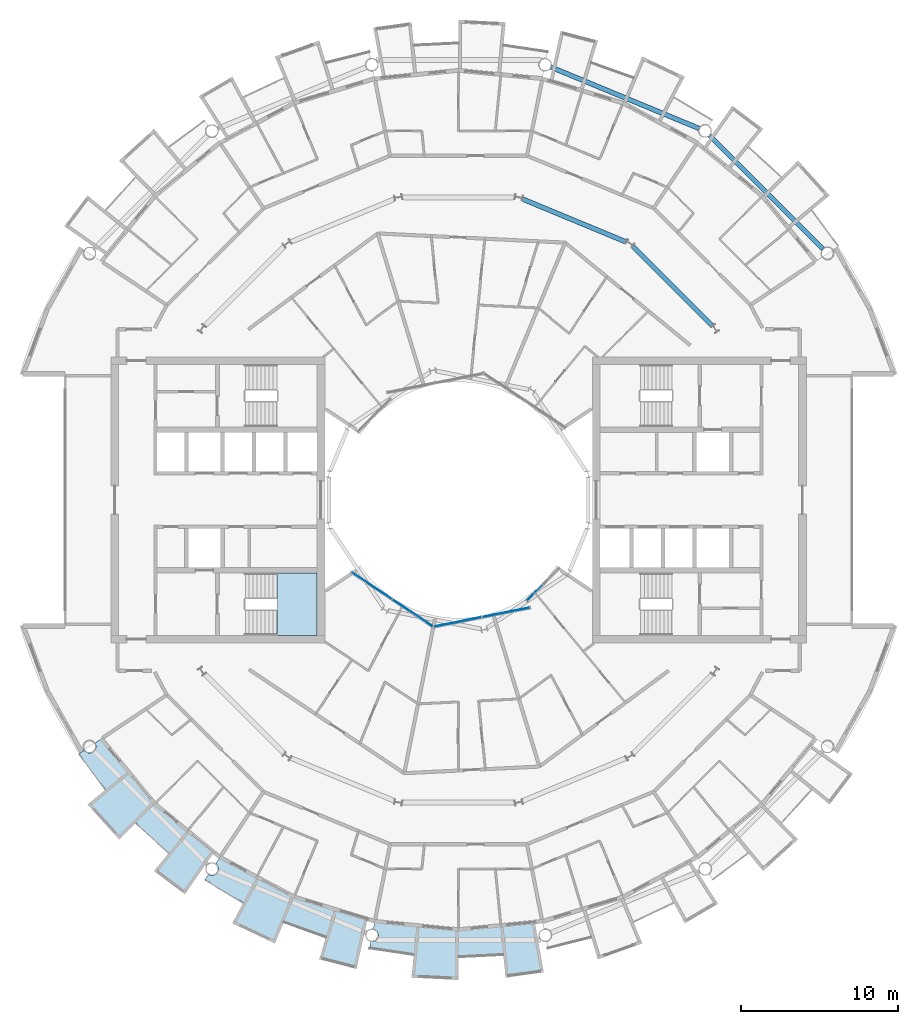
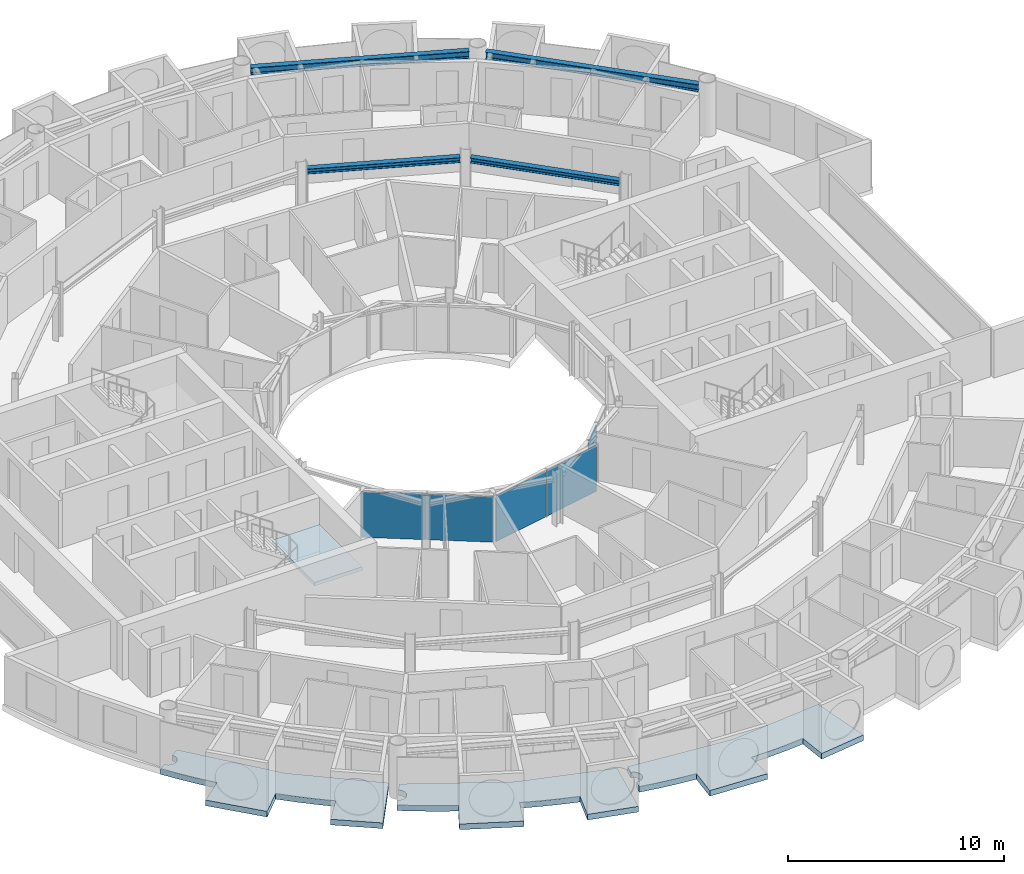
# One storey, part 10 of 27: 5 plates, 4 beams, 4 slabs, 4 elements without a shape of their own.
"""IFC4 building model written with IfcOpenShell, lengths in metres."""

from ifc_helpers import new_model, si_unit, direction, frame, origin, origin_2d, place, context, subcontext, project, spatial, polyline, rectangle, i_section, outline, extrude, material, layer, layer_set, material_profile, profile_set, type_object, element, aggregate, save


model = new_model("IFC4")

# Units and contexts
model_context = context("Model", 3, precision=1e-05, world=origin(), true_north=direction((0.0, 1.0)))
body_context = subcontext(model_context, "Body", "Model", "MODEL_VIEW")
ifc_project = project(units=[si_unit("LENGTHUNIT", "METRE"), si_unit("AREAUNIT", "SQUARE_METRE"), si_unit("VOLUMEUNIT", "CUBIC_METRE"), si_unit("PLANEANGLEUNIT", "RADIAN"), si_unit("MASSUNIT", "GRAM", prefix="KILO")], contexts=[model_context])

# Site, building, storey
site_placement = place(None, origin())
site = spatial("IfcSite", under=ifc_project, at=site_placement, CompositionType="ELEMENT")
building_placement = place(site_placement, origin())
building = spatial("IfcBuilding", under=site, at=building_placement, Name="Maasbend Ring Residences", CompositionType="ELEMENT")
storey_placement = place(building_placement, frame((0.0, 0.0, 170.75)))
storey = spatial("IfcBuildingStorey", under=building, at=storey_placement, Name="L49", CompositionType="ELEMENT", Elevation=170.75)

# Beams
ifc_material_1 = material(Name="Steel S355J2", Category="steel")
ifc_material_profile_1 = material_profile(ifc_material_1, i_section(OverallWidth=0.300048828125, OverallDepth=0.2900390625, WebThickness=0.008544921875, FlangeThickness=0.013916015625, FilletRadius=0.027099609375, at=origin_2d()), Name="HEA 300")
ifc_profile_set_1 = profile_set([ifc_material_profile_1], Name="Steel S355J2")
beam_type_1 = type_object("IfcBeamType", Name="Corridor ring beam HEA 300", PredefinedType="BEAM", material=ifc_profile_set_1)
for number, where, z_axis, x_axis, name in (
    (1, (16.11669921875, 11.0693359375, 2.554931640625), (-0.707106781187, 0.707106781187, 0.0), (-0.707106781187, -0.707106781187, 0.0), "Corridor ring beam"),
    (2, (10.65380859375, 16.394287109375, 2.554931640625), (-0.923871339849, 0.382703210602, 0.0), (-0.382703210602, -0.923871339849, 0.0), "Corridor ring beam"),
):
    element("IfcBeam", number, at=place(storey_placement, frame(where, z_axis=z_axis, x_axis=x_axis)), inside=storey, type_object=beam_type_1, Name=name, PredefinedType="BEAM", context=body_context, shape_type="SweptSolid", body=[
        extrude(i_section(OverallWidth=0.300048828125, OverallDepth=0.2900390625, WebThickness=0.008544921875, FlangeThickness=0.013916015625, FilletRadius=0.027099609375, at=origin_2d()), origin(), (0.0, 0.0, 1.0), 7.137939453125),
    ])
ifc_material_2 = material(Name="Steel S355J2", Category="steel")
ifc_material_profile_2 = material_profile(ifc_material_2, i_section(OverallWidth=0.300048828125, OverallDepth=0.39990234375, WebThickness=0.013427734375, FlangeThickness=0.02392578125, FilletRadius=0.027099609375, at=origin_2d()), Name="HEB 400")
ifc_profile_set_2 = profile_set([ifc_material_profile_2], Name="Steel S355J2")
beam_type_2 = type_object("IfcBeamType", Name="Spandrel ring beam HEB 400", PredefinedType="SPANDREL", material=ifc_profile_set_2)
for number, where, z_axis, x_axis, name in (
    (3, (23.159912109375, 15.95458984375, 2.5), (-0.707106781187, 0.707106781187, 0.0), (-0.707106781187, -0.707106781187, 0.0), "Spandrel ring beam"),
    (4, (15.29150390625, 23.60302734375, 2.5), (-0.923883676188, 0.382673428492, 0.0), (-0.382673428492, -0.923883676188, 0.0), "Spandrel ring beam"),
):
    element("IfcBeam", number, at=place(storey_placement, frame(where, z_axis=z_axis, x_axis=x_axis)), inside=storey, type_object=beam_type_2, Name=name, PredefinedType="SPANDREL", context=body_context, shape_type="SweptSolid", body=[
        extrude(i_section(OverallWidth=0.300048828125, OverallDepth=0.39990234375, WebThickness=0.013427734375, FlangeThickness=0.02392578125, FilletRadius=0.027099609375, at=origin_2d()), origin(), (0.0, 0.0, 1.0), 10.18994140625),
    ])

# Stair, slab
ifc_material_3 = material(Name="Concrete C40/50", Category="concrete")
stair_type = type_object("IfcStairType", Name="CORE STAIR 18 RISERS", PredefinedType="HALF_TURN_STAIR", material=ifc_material_3)
stair_placement = place(storey_placement, origin())
stair = element("IfcStair", 5, at=stair_placement, inside=storey, type_object=stair_type, Name="L49 Exit stair ST-W1", PredefinedType="HALF_TURN_STAIR")
ifc_material_4 = material(Name="Concrete C40/50", Category="concrete")
ifc_layer_1 = layer(ifc_material_4, 0.199951171875)
ifc_layer_set_1 = layer_set([ifc_layer_1], Name="Concrete C40/50")
slab_type_1 = type_object("IfcSlabType", Name="CORE STAIR LANDING 200", PredefinedType="LANDING", material=ifc_layer_set_1)
slab_1_placement = place(storey_placement, frame((0.0, 0.0, 1.324951171875)))
slab_1 = element("IfcSlab", 6, at=slab_1_placement, type_object=slab_type_1, Name="ST-W1 landing 1", PredefinedType="LANDING", context=body_context, shape_type="SweptSolid", body=[
    extrude(outline(polyline([(-11.550048828125, -8.60009765625), (-9.0, -8.60009765625), (-9.0, -4.64990234375), (-11.550048828125, -4.64990234375), (-11.550048828125, -8.60009765625)])), origin(), (0.0, 0.0, 1.0), 0.199951171875),
])
aggregate(stair, [slab_1])

# Curtain wall, plates
ifc_material_5 = material(Name="Aluminium and clear glass", Category="aluminium")
ifc_layer_2 = layer(ifc_material_5, 0.179931640625)
ifc_layer_set_2 = layer_set([ifc_layer_2], Name="CW-W")
curtain_wall_type = type_object("IfcCurtainWallType", Name="CW-W", PredefinedType="NOTDEFINED", material=ifc_layer_set_2)
curtain_wall_1_placement = place(storey_placement, origin())
curtain_wall_1 = element("IfcCurtainWall", 7, at=curtain_wall_1_placement, inside=storey, type_object=curtain_wall_type, Name="Well curtain wall S1", PredefinedType="NOTDEFINED")
ifc_material_6 = material(Name="Glass clear laminated", Category="glass")
ifc_layer_3 = layer(ifc_material_6, 0.031982421875)
ifc_layer_set_3 = layer_set([ifc_layer_3], Name="CWP-W")
plate_type = type_object("IfcPlateType", Name="CWP-W", PredefinedType="CURTAIN_PANEL", material=ifc_layer_set_3)
plate_1_placement = place(storey_placement, frame((-5.51123046875, -5.44580078125, 0.0), z_axis=(0.0, 0.0, 1.0), x_axis=(0.831469612303, -0.55557023302, 0.0)))
plate_1 = element("IfcPlate", 8, at=plate_1_placement, type_object=plate_type, Name="Glass panel well face", PredefinedType="CURTAIN_PANEL", context=body_context, shape_type="SweptSolid", body=[
    extrude(rectangle(XDim=3.053955078125, YDim=0.031982421875, at=origin_2d()), origin(), (0.0, 0.0, 1.0), 2.580078125),
])
plate_2_placement = place(storey_placement, frame((-2.922119140625, -7.17578125, 0.0), z_axis=(0.0, 0.0, 1.0), x_axis=(0.831469612303, -0.55557023302, 0.0)))
plate_2 = element("IfcPlate", 9, at=plate_2_placement, type_object=plate_type, Name="Glass panel well face", PredefinedType="CURTAIN_PANEL", context=body_context, shape_type="SweptSolid", body=[
    extrude(rectangle(XDim=3.053955078125, YDim=0.031982421875, at=origin_2d()), origin(), (0.0, 0.0, 1.0), 2.580078125),
])
aggregate(curtain_wall_1, [plate_1, plate_2])

curtain_wall_2_placement = place(storey_placement, origin())
curtain_wall_2 = element("IfcCurtainWall", 10, at=curtain_wall_2_placement, inside=storey, type_object=curtain_wall_type, Name="Well curtain wall S2", PredefinedType="NOTDEFINED")
plate_3_placement = place(storey_placement, frame((-0.04638671875, -7.747802734375, 0.0), z_axis=(0.0, 0.0, 1.0), x_axis=(0.980785280403, 0.195090322016, 0.0)))
plate_3 = element("IfcPlate", 11, at=plate_3_placement, type_object=plate_type, Name="Glass panel well face", PredefinedType="CURTAIN_PANEL", context=body_context, shape_type="SweptSolid", body=[
    extrude(rectangle(XDim=3.053955078125, YDim=0.031982421875, at=origin_2d()), origin(), (0.0, 0.0, 1.0), 2.580078125),
])
plate_4_placement = place(storey_placement, frame((3.0078125, -7.140380859375, 0.0), z_axis=(0.0, 0.0, 1.0), x_axis=(0.980785280403, 0.195090322016, 0.0)))
plate_4 = element("IfcPlate", 12, at=plate_4_placement, type_object=plate_type, Name="Glass panel well face", PredefinedType="CURTAIN_PANEL", context=body_context, shape_type="SweptSolid", body=[
    extrude(rectangle(XDim=3.053955078125, YDim=0.031982421875, at=origin_2d()), origin(), (0.0, 0.0, 1.0), 2.580078125),
])
aggregate(curtain_wall_2, [plate_3, plate_4])

# Curtain wall, plate
curtain_wall_3_placement = place(storey_placement, origin())
curtain_wall_3 = element("IfcCurtainWall", 13, at=curtain_wall_3_placement, inside=storey, type_object=curtain_wall_type, Name="Well curtain wall S3", PredefinedType="NOTDEFINED")
plate_5_placement = place(storey_placement, frame((4.84375, -5.89013671875, 0.0), z_axis=(0.0, 0.0, 1.0), x_axis=(0.707106781187, 0.707106781187, 0.0)))
plate_5 = element("IfcPlate", 14, at=plate_5_placement, type_object=plate_type, Name="Glass panel well face", PredefinedType="CURTAIN_PANEL", context=body_context, shape_type="SweptSolid", body=[
    extrude(rectangle(XDim=1.419677734375, YDim=0.031982421875, at=origin_2d()), origin(), (0.0, 0.0, 1.0), 2.580078125),
])
aggregate(curtain_wall_3, [plate_5])

# Slabs
ifc_material_7 = material(Name="Concrete C40/50", Category="concrete")
ifc_layer_4 = layer(ifc_material_7, 0.199951171875)
ifc_layer_set_4 = layer_set([ifc_layer_4], Name="Concrete C40/50")
slab_type_2 = type_object("IfcSlabType", Name="SL-LOGGIA", PredefinedType="FLOOR", material=ifc_layer_set_4)
slab_2_placement = place(storey_placement, frame((0.0, 0.0, -0.35009765625)))
element("IfcSlab", 15, at=slab_2_placement, inside=storey, type_object=slab_type_2, Name="Loggia floor 1", PredefinedType="FLOOR", context=body_context, shape_type="SweptSolid", body=[
    extrude(outline(polyline([(-15.866943359375, -23.801025390625), (-15.85888671875, -23.805908203125), (-15.85009765625, -23.81005859375), (-15.841064453125, -23.81494140625), (-15.83203125, -23.819091796875), (-15.822998046875, -23.822998046875), (-15.81298828125, -23.826904296875), (-15.803955078125, -23.830078125), (-15.794921875, -23.8330078125), (-15.784912109375, -23.8359375), (-15.77587890625, -23.839111328125), (-15.76611328125, -23.842041015625), (-15.756103515625, -23.843994140625), (-15.74609375, -23.845947265625), (-15.737060546875, -23.847900390625), (-15.72705078125, -23.85009765625), (-15.717041015625, -23.85107421875), (-15.70703125, -23.85205078125), (-15.697021484375, -23.85302734375), (-15.68701171875, -23.85302734375), (-15.677001953125, -23.85400390625), (-15.6669921875, -23.85400390625), (-15.656982421875, -23.85400390625), (-15.64697265625, -23.85302734375), (-15.636962890625, -23.85302734375), (-15.626953125, -23.85205078125), (-15.616943359375, -23.85107421875), (-15.60693359375, -23.85009765625), (-15.597900390625, -23.847900390625), (-15.587890625, -23.845947265625), (-15.577880859375, -23.843994140625), (-15.568115234375, -23.842041015625), (-15.55908203125, -23.839111328125), (-15.549072265625, -23.8359375), (-15.5400390625, -23.8330078125), (-15.530029296875, -23.830078125), (-15.52099609375, -23.826904296875), (-15.511962890625, -23.822998046875), (-15.501953125, -23.819091796875), (-15.492919921875, -23.81494140625), (-15.48388671875, -23.81005859375), (-15.47509765625, -23.805908203125), (-15.467041015625, -23.801025390625), (-15.4580078125, -23.7958984375), (-15.449951171875, -23.791015625), (-15.44091796875, -23.784912109375), (-15.43310546875, -23.780029296875), (-15.425048828125, -23.77392578125), (-15.4169921875, -23.76806640625), (-15.408935546875, -23.761962890625), (-15.402099609375, -23.7548828125), (-15.39404296875, -23.7490234375), (-15.386962890625, -23.741943359375), (-15.3798828125, -23.735107421875), (-15.373046875, -23.72802734375), (-15.365966796875, -23.719970703125), (-15.35888671875, -23.712890625), (-15.35302734375, -23.705078125), (-15.346923828125, -23.697021484375), (-15.341064453125, -23.68994140625), (-15.3349609375, -23.680908203125), (-15.3291015625, -23.673095703125), (-15.323974609375, -23.6650390625), (-15.318115234375, -23.656005859375), (-15.31298828125, -23.64794921875), (-15.30908203125, -23.638916015625), (-15.303955078125, -23.6298828125), (-15.300048828125, -23.62109375), (-15.294921875, -23.612060546875), (-15.2919921875, -23.60302734375), (-15.2880859375, -23.593994140625), (-15.283935546875, -23.583984375), (-15.281005859375, -23.574951171875), (-15.278076171875, -23.56494140625), (-15.27490234375, -23.555908203125), (-15.27294921875, -23.5458984375), (-15.27001953125, -23.535888671875), (-15.26806640625, -23.527099609375), (-15.26708984375, -23.51708984375), (-15.264892578125, -23.507080078125), (-15.263916015625, -23.4970703125), (-15.262939453125, -23.487060546875), (-15.261962890625, -23.47705078125), (-15.260986328125, -23.467041015625), (-15.260986328125, -23.45703125), (-15.260986328125, -23.447021484375), (-15.260986328125, -23.43701171875), (-15.260986328125, -23.427001953125), (-15.261962890625, -23.4169921875), (-15.262939453125, -23.407958984375), (-15.263916015625, -23.39794921875), (-15.264892578125, -23.387939453125), (-15.26708984375, -23.3779296875), (-15.26806640625, -23.367919921875), (-15.27001953125, -23.35791015625), (-15.27294921875, -23.34912109375), (-15.27490234375, -23.339111328125), (-15.278076171875, -23.3291015625), (-15.281005859375, -23.320068359375), (-15.283935546875, -23.31005859375), (-15.2880859375, -23.301025390625), (-15.2919921875, -23.2919921875), (-15.294921875, -23.282958984375), (-15.300048828125, -23.27392578125), (-15.303955078125, -23.264892578125), (-15.30908203125, -23.256103515625), (-15.31298828125, -23.2470703125), (-15.318115234375, -23.238037109375), (-15.323974609375, -23.22998046875), (-15.3291015625, -23.221923828125), (-15.3349609375, -23.212890625), (-15.341064453125, -23.205078125), (-15.346923828125, -23.197021484375), (-15.35302734375, -23.18994140625), (-15.35888671875, -23.181884765625), (-15.365966796875, -23.174072265625), (-15.373046875, -23.1669921875), (-15.3798828125, -23.159912109375), (-15.386962890625, -23.153076171875), (-15.39404296875, -23.14599609375), (-15.402099609375, -23.139892578125), (-15.408935546875, -23.133056640625), (-15.4169921875, -23.126953125), (-15.425048828125, -23.12109375), (-15.43310546875, -23.114990234375), (-15.44091796875, -23.10888671875), (-15.1669921875, -22.698974609375), (-15.1669921875, -22.698974609375), (-15.1669921875, -22.698974609375), (-12.806884765625, -23.9609375), (-10.447021484375, -25.221923828125), (-10.447021484375, -25.221923828125), (-10.447021484375, -25.221923828125), (-7.886962890625, -25.9990234375), (-5.797119140625, -26.633056640625), (-5.797119140625, -26.633056640625), (-5.797119140625, -26.633056640625), (-6.487060546875, -29.802001953125), (-6.487060546875, -29.802001953125), (-6.487060546875, -29.802001953125), (-8.85400390625, -29.18701171875), (-8.85400390625, -29.18701171875), (-8.85400390625, -29.18701171875), (-8.41796875, -27.751953125), (-8.41796875, -27.751953125), (-8.41796875, -27.751953125), (-8.41796875, -27.751953125), (-8.41796875, -27.751953125), (-8.41796875, -27.751953125), (-8.41796875, -27.7509765625), (-8.41796875, -27.7509765625), (-8.41796875, -27.7509765625), (-8.41796875, -27.7509765625), (-8.41796875, -27.7509765625), (-8.4189453125, -27.7509765625), (-8.4189453125, -27.7509765625), (-8.4189453125, -27.7509765625), (-8.4189453125, -27.7509765625), (-8.4189453125, -27.7509765625), (-8.4189453125, -27.7509765625), (-9.322021484375, -27.4609375), (-9.322021484375, -27.4609375), (-10.215087890625, -27.14111328125), (-10.215087890625, -27.14111328125), (-11.096923828125, -26.79296875), (-11.096923828125, -26.79296875), (-11.096923828125, -26.79296875), (-11.097900390625, -26.79296875), (-11.097900390625, -26.79296875), (-11.097900390625, -26.79296875), (-11.097900390625, -26.79296875), (-11.097900390625, -26.79296875), (-11.097900390625, -26.79296875), (-11.097900390625, -26.79296875), (-11.097900390625, -26.79296875), (-11.097900390625, -26.79296875), (-11.097900390625, -26.79296875), (-11.097900390625, -26.79296875), (-11.097900390625, -26.79296875), (-11.097900390625, -26.79296875), (-11.097900390625, -26.79296875), (-11.672119140625, -28.177978515625), (-11.672119140625, -28.177978515625), (-11.672119140625, -28.177978515625), (-14.3779296875, -26.89892578125), (-14.3779296875, -26.89892578125), (-14.3779296875, -26.89892578125), (-13.6708984375, -25.575927734375), (-13.6708984375, -25.575927734375), (-13.6708984375, -25.575927734375), (-13.6708984375, -25.575927734375), (-13.6708984375, -25.575927734375), (-13.6708984375, -25.575927734375), (-13.6708984375, -25.575927734375), (-13.6708984375, -25.575927734375), (-13.6708984375, -25.575927734375), (-13.6708984375, -25.575927734375), (-13.6708984375, -25.575927734375), (-13.6708984375, -25.575927734375), (-13.6708984375, -25.575927734375), (-13.6708984375, -25.575927734375), (-13.6708984375, -25.575927734375), (-13.6708984375, -25.575927734375), (-13.6708984375, -25.574951171875), (-14.5, -25.114990234375), (-14.5, -25.114990234375), (-15.31396484375, -24.626953125), (-15.31396484375, -24.626953125), (-16.112060546875, -24.113037109375), (-16.112060546875, -24.113037109375), (-16.112060546875, -24.113037109375), (-15.89306640625, -23.784912109375), (-15.885009765625, -23.791015625), (-15.8759765625, -23.7958984375), (-15.866943359375, -23.801025390625)])), origin(), (0.0, 0.0, 1.0), 0.320068359375),
])
slab_3_placement = place(storey_placement, frame((0.0, 0.0, -0.35009765625)))
element("IfcSlab", 16, at=slab_3_placement, inside=storey, type_object=slab_type_2, Name="Loggia floor 3", PredefinedType="FLOOR", context=body_context, shape_type="SweptSolid", body=[
    extrude(outline(polyline([(-2.6630859375, -27.0380859375), (0.0, -27.300048828125), (0.0, -27.300048828125), (0.0, -27.300048828125), (2.6630859375, -27.0380859375), (4.8359375, -26.823974609375), (4.8359375, -26.823974609375), (4.8359375, -26.823974609375), (5.412109375, -30.01611328125), (5.412109375, -30.01611328125), (5.412109375, -30.01611328125), (2.989990234375, -30.35302734375), (2.989990234375, -30.35302734375), (2.989990234375, -30.35302734375), (2.843017578125, -28.861083984375), (2.843017578125, -28.861083984375), (2.843017578125, -28.861083984375), (2.843017578125, -28.861083984375), (2.842041015625, -28.861083984375), (2.842041015625, -28.861083984375), (2.842041015625, -28.861083984375), (2.842041015625, -28.861083984375), (2.842041015625, -28.861083984375), (2.842041015625, -28.860107421875), (2.842041015625, -28.860107421875), (2.842041015625, -28.860107421875), (2.842041015625, -28.860107421875), (2.842041015625, -28.860107421875), (2.842041015625, -28.860107421875), (2.842041015625, -28.860107421875), (2.842041015625, -28.860107421875), (1.89697265625, -28.93798828125), (1.89697265625, -28.93798828125), (0.948974609375, -28.98388671875), (0.948974609375, -28.98388671875), (0.0, -29.0), (0.0, -29.0), (0.0, -29.0), (0.0, -29.0), (0.0, -29.0), (0.0, -29.0), (0.0, -29.0), (0.0, -29.0), (0.0, -29.0), (0.0, -29.0), (0.0, -29.0), (0.0, -29.0), (0.0, -29.0), (0.0, -29.0), (0.0, -29.0), (0.0, -29.0), (0.0, -29.0), (0.0, -30.5), (0.0, -30.5), (0.0, -30.5), (-2.989990234375, -30.35302734375), (-2.989990234375, -30.35302734375), (-2.989990234375, -30.35302734375), (-2.843017578125, -28.861083984375), (-2.843017578125, -28.861083984375), (-2.843017578125, -28.861083984375), (-2.843017578125, -28.861083984375), (-2.843017578125, -28.861083984375), (-2.843017578125, -28.861083984375), (-2.843017578125, -28.861083984375), (-2.843017578125, -28.861083984375), (-2.843017578125, -28.860107421875), (-2.843017578125, -28.860107421875), (-2.843017578125, -28.860107421875), (-2.843017578125, -28.860107421875), (-2.843017578125, -28.860107421875), (-2.843017578125, -28.860107421875), (-2.843017578125, -28.860107421875), (-2.843017578125, -28.860107421875), (-2.843017578125, -28.860107421875), (-3.784912109375, -28.751953125), (-3.784912109375, -28.751953125), (-4.72412109375, -28.613037109375), (-4.72412109375, -28.613037109375), (-5.657958984375, -28.443115234375), (-5.657958984375, -28.443115234375), (-5.657958984375, -28.443115234375), (-5.5810546875, -28.056884765625), (-5.5810546875, -28.056884765625), (-5.571044921875, -28.05908203125), (-5.56103515625, -28.06005859375), (-5.551025390625, -28.06201171875), (-5.541015625, -28.06298828125), (-5.531005859375, -28.06298828125), (-5.52099609375, -28.06396484375), (-5.510986328125, -28.06396484375), (-5.501953125, -28.06494140625), (-5.491943359375, -28.06396484375), (-5.48193359375, -28.06396484375), (-5.471923828125, -28.06298828125), (-5.4619140625, -28.06298828125), (-5.451904296875, -28.06201171875), (-5.44189453125, -28.06005859375), (-5.431884765625, -28.05908203125), (-5.422119140625, -28.056884765625), (-5.412109375, -28.054931640625), (-5.403076171875, -28.052001953125), (-5.39306640625, -28.050048828125), (-5.383056640625, -28.047119140625), (-5.3740234375, -28.0439453125), (-5.364990234375, -28.041015625), (-5.35498046875, -28.037109375), (-5.345947265625, -28.033935546875), (-5.3369140625, -28.030029296875), (-5.327880859375, -28.02587890625), (-5.319091796875, -28.02099609375), (-5.31005859375, -28.01708984375), (-5.301025390625, -28.011962890625), (-5.29296875, -28.007080078125), (-5.283935546875, -28.001953125), (-5.27587890625, -27.99609375), (-5.26708984375, -27.989990234375), (-5.259033203125, -27.985107421875), (-5.2509765625, -27.97900390625), (-5.243896484375, -27.971923828125), (-5.236083984375, -27.966064453125), (-5.22900390625, -27.958984375), (-5.220947265625, -27.952880859375), (-5.214111328125, -27.946044921875), (-5.20703125, -27.93798828125), (-5.199951171875, -27.930908203125), (-5.194091796875, -27.924072265625), (-5.18701171875, -27.916015625), (-5.180908203125, -27.907958984375), (-5.175048828125, -27.89990234375), (-5.1689453125, -27.89208984375), (-5.1640625, -27.884033203125), (-5.157958984375, -27.8759765625), (-5.153076171875, -27.866943359375), (-5.14794921875, -27.85791015625), (-5.14306640625, -27.85009765625), (-5.137939453125, -27.841064453125), (-5.134033203125, -27.83203125), (-5.1298828125, -27.822998046875), (-5.1259765625, -27.81396484375), (-5.1220703125, -27.803955078125), (-5.118896484375, -27.794921875), (-5.115966796875, -27.785888671875), (-5.113037109375, -27.77587890625), (-5.110107421875, -27.76708984375), (-5.10693359375, -27.757080078125), (-5.10498046875, -27.7470703125), (-5.10302734375, -27.737060546875), (-5.10107421875, -27.72802734375), (-5.09912109375, -27.718017578125), (-5.097900390625, -27.7080078125), (-5.096923828125, -27.697998046875), (-5.095947265625, -27.68798828125), (-5.094970703125, -27.677978515625), (-5.094970703125, -27.66796875), (-5.094970703125, -27.657958984375), (-5.094970703125, -27.64794921875), (-5.094970703125, -27.637939453125), (-5.095947265625, -27.6279296875), (-5.096923828125, -27.617919921875), (-5.097900390625, -27.60791015625), (-5.09912109375, -27.597900390625), (-5.10107421875, -27.589111328125), (-5.10302734375, -27.5791015625), (-5.10498046875, -27.569091796875), (-5.10693359375, -27.55908203125), (-5.110107421875, -27.550048828125), (-5.113037109375, -27.5400390625), (-5.115966796875, -27.531005859375), (-5.118896484375, -27.52099609375), (-5.1220703125, -27.511962890625), (-5.1259765625, -27.5029296875), (-5.1298828125, -27.492919921875), (-5.134033203125, -27.48388671875), (-5.137939453125, -27.47509765625), (-5.14306640625, -27.466064453125), (-5.14794921875, -27.4580078125), (-5.153076171875, -27.448974609375), (-5.157958984375, -27.44091796875), (-5.1640625, -27.431884765625), (-5.1689453125, -27.424072265625), (-5.175048828125, -27.416015625), (-5.180908203125, -27.407958984375), (-5.18701171875, -27.39990234375), (-5.194091796875, -27.39306640625), (-5.199951171875, -27.385009765625), (-5.20703125, -27.3779296875), (-5.214111328125, -27.37109375), (-5.220947265625, -27.364013671875), (-5.22900390625, -27.35693359375), (-5.236083984375, -27.35009765625), (-5.243896484375, -27.343994140625), (-5.2509765625, -27.337890625), (-5.259033203125, -27.33203125), (-5.26708984375, -27.325927734375), (-5.27587890625, -27.320068359375), (-5.283935546875, -27.31494140625), (-5.29296875, -27.30908203125), (-5.301025390625, -27.303955078125), (-5.31005859375, -27.300048828125), (-5.319091796875, -27.294921875), (-5.327880859375, -27.291015625), (-5.3369140625, -27.285888671875), (-5.345947265625, -27.282958984375), (-5.35498046875, -27.279052734375), (-5.364990234375, -27.27490234375), (-5.3740234375, -27.27197265625), (-5.383056640625, -27.26904296875), (-5.39306640625, -27.26611328125), (-5.403076171875, -27.263916015625), (-5.412109375, -27.260986328125), (-5.422119140625, -27.259033203125), (-5.422119140625, -27.259033203125), (-5.325927734375, -26.77490234375), (-5.325927734375, -26.77490234375), (-5.325927734375, -26.77490234375), (-2.6630859375, -27.0380859375)])), origin(), (0.0, 0.0, 1.0), 0.320068359375),
])
slab_4_placement = place(storey_placement, frame((0.0, 0.0, -0.35009765625)))
element("IfcSlab", 17, at=slab_4_placement, inside=storey, type_object=slab_type_2, Name="Loggia floor 4", PredefinedType="FLOOR", context=body_context, shape_type="SweptSolid", body=[
    extrude(outline(polyline([(-23.77392578125, -15.908935546875), (-23.76806640625, -15.9169921875), (-23.761962890625, -15.925048828125), (-23.7548828125, -15.93310546875), (-23.7490234375, -15.93994140625), (-23.741943359375, -15.947021484375), (-23.735107421875, -15.955078125), (-23.72802734375, -15.9619140625), (-23.719970703125, -15.968017578125), (-23.712890625, -15.97509765625), (-23.705078125, -15.98095703125), (-23.697021484375, -15.988037109375), (-23.68994140625, -15.993896484375), (-23.680908203125, -15.9990234375), (-23.673095703125, -16.0048828125), (-23.6650390625, -16.010986328125), (-23.656005859375, -16.01611328125), (-23.64794921875, -16.02099609375), (-23.638916015625, -16.02587890625), (-23.6298828125, -16.030029296875), (-23.62109375, -16.034912109375), (-23.612060546875, -16.0390625), (-23.60302734375, -16.04296875), (-23.593994140625, -16.0458984375), (-23.583984375, -16.050048828125), (-23.574951171875, -16.052978515625), (-23.56494140625, -16.055908203125), (-23.555908203125, -16.05908203125), (-23.5458984375, -16.06103515625), (-23.535888671875, -16.06396484375), (-23.527099609375, -16.06591796875), (-23.51708984375, -16.068115234375), (-23.507080078125, -16.069091796875), (-23.4970703125, -16.071044921875), (-23.487060546875, -16.072021484375), (-23.47705078125, -16.072021484375), (-23.467041015625, -16.072998046875), (-23.45703125, -16.072998046875), (-23.447021484375, -16.073974609375), (-23.43701171875, -16.072998046875), (-23.427001953125, -16.072998046875), (-23.4169921875, -16.072021484375), (-23.407958984375, -16.072021484375), (-23.39794921875, -16.071044921875), (-23.387939453125, -16.069091796875), (-23.3779296875, -16.068115234375), (-23.367919921875, -16.06591796875), (-23.35791015625, -16.06396484375), (-23.34912109375, -16.06103515625), (-23.339111328125, -16.05908203125), (-23.3291015625, -16.055908203125), (-23.320068359375, -16.052978515625), (-23.31005859375, -16.050048828125), (-23.301025390625, -16.0458984375), (-23.2919921875, -16.04296875), (-23.282958984375, -16.0390625), (-23.27392578125, -16.034912109375), (-23.264892578125, -16.030029296875), (-23.256103515625, -16.02587890625), (-23.2470703125, -16.02099609375), (-23.238037109375, -16.01611328125), (-23.22998046875, -16.010986328125), (-23.221923828125, -16.0048828125), (-23.212890625, -15.9990234375), (-23.205078125, -15.993896484375), (-23.197021484375, -15.988037109375), (-23.18994140625, -15.98095703125), (-23.181884765625, -15.97509765625), (-23.174072265625, -15.968017578125), (-23.1669921875, -15.9619140625), (-23.159912109375, -15.955078125), (-23.153076171875, -15.947021484375), (-23.14599609375, -15.93994140625), (-23.139892578125, -15.93310546875), (-23.133056640625, -15.925048828125), (-23.126953125, -15.9169921875), (-23.12109375, -15.908935546875), (-23.114990234375, -15.90087890625), (-23.10888671875, -15.89306640625), (-23.10400390625, -15.885009765625), (-23.09912109375, -15.8759765625), (-23.093994140625, -15.866943359375), (-23.089111328125, -15.85888671875), (-23.083984375, -15.85009765625), (-23.080078125, -15.841064453125), (-23.075927734375, -15.83203125), (-23.072021484375, -15.822998046875), (-23.068115234375, -15.81298828125), (-23.06494140625, -15.803955078125), (-23.06103515625, -15.794921875), (-23.05810546875, -15.784912109375), (-23.055908203125, -15.77587890625), (-23.052978515625, -15.76611328125), (-23.051025390625, -15.756103515625), (-23.049072265625, -15.74609375), (-23.047119140625, -15.737060546875), (-23.044921875, -15.72705078125), (-23.0439453125, -15.717041015625), (-23.04296875, -15.70703125), (-23.0419921875, -15.697021484375), (-23.041015625, -15.68701171875), (-23.041015625, -15.677001953125), (-23.041015625, -15.6669921875), (-23.041015625, -15.656982421875), (-23.041015625, -15.64697265625), (-23.0419921875, -15.636962890625), (-23.04296875, -15.626953125), (-23.0439453125, -15.616943359375), (-23.044921875, -15.60693359375), (-23.047119140625, -15.597900390625), (-23.049072265625, -15.587890625), (-23.051025390625, -15.577880859375), (-23.052978515625, -15.568115234375), (-23.055908203125, -15.55908203125), (-23.05810546875, -15.549072265625), (-23.06103515625, -15.5400390625), (-23.06494140625, -15.530029296875), (-23.068115234375, -15.52099609375), (-23.072021484375, -15.511962890625), (-23.075927734375, -15.501953125), (-23.080078125, -15.492919921875), (-23.083984375, -15.48388671875), (-23.089111328125, -15.47509765625), (-23.093994140625, -15.467041015625), (-23.09912109375, -15.4580078125), (-23.10400390625, -15.449951171875), (-23.10888671875, -15.44091796875), (-23.10888671875, -15.44091796875), (-22.698974609375, -15.1669921875), (-22.698974609375, -15.1669921875), (-22.698974609375, -15.1669921875), (-21.001953125, -17.236083984375), (-19.303955078125, -19.303955078125), (-19.303955078125, -19.303955078125), (-19.303955078125, -19.303955078125), (-17.236083984375, -21.001953125), (-15.547119140625, -22.386962890625), (-15.547119140625, -22.386962890625), (-15.547119140625, -22.386962890625), (-17.39794921875, -25.051025390625), (-17.39794921875, -25.051025390625), (-17.39794921875, -25.051025390625), (-19.34912109375, -23.576904296875), (-19.34912109375, -23.576904296875), (-19.34912109375, -23.576904296875), (-18.39794921875, -22.41796875), (-18.39794921875, -22.41796875), (-18.39794921875, -22.41796875), (-18.39794921875, -22.41796875), (-18.39794921875, -22.41796875), (-18.39794921875, -22.4169921875), (-18.39794921875, -22.4169921875), (-18.39794921875, -22.4169921875), (-18.39794921875, -22.4169921875), (-18.39794921875, -22.4169921875), (-18.39794921875, -22.4169921875), (-18.39794921875, -22.4169921875), (-18.39794921875, -22.4169921875), (-18.39794921875, -22.4169921875), (-18.39794921875, -22.4169921875), (-18.39794921875, -22.4169921875), (-18.39794921875, -22.4169921875), (-19.12109375, -21.802978515625), (-19.12109375, -21.802978515625), (-19.823974609375, -21.166015625), (-19.823974609375, -21.166015625), (-20.506103515625, -20.506103515625), (-20.506103515625, -20.506103515625), (-20.506103515625, -20.506103515625), (-20.506103515625, -20.506103515625), (-20.506103515625, -20.506103515625), (-20.506103515625, -20.506103515625), (-20.506103515625, -20.506103515625), (-20.506103515625, -20.506103515625), (-20.506103515625, -20.506103515625), (-20.506103515625, -20.506103515625), (-20.506103515625, -20.506103515625), (-20.506103515625, -20.506103515625), (-20.506103515625, -20.506103515625), (-20.506103515625, -20.506103515625), (-20.506103515625, -20.506103515625), (-20.506103515625, -20.506103515625), (-20.506103515625, -20.506103515625), (-21.56689453125, -21.56689453125), (-21.56689453125, -21.56689453125), (-21.56689453125, -21.56689453125), (-23.576904296875, -19.34912109375), (-23.576904296875, -19.34912109375), (-23.576904296875, -19.34912109375), (-22.41796875, -18.39794921875), (-22.41796875, -18.39794921875), (-22.41796875, -18.39794921875), (-22.41796875, -18.39794921875), (-22.41796875, -18.39794921875), (-22.41796875, -18.39794921875), (-22.41796875, -18.39697265625), (-22.41796875, -18.39697265625), (-22.41796875, -18.39697265625), (-22.41796875, -18.39697265625), (-22.41796875, -18.39697265625), (-22.41796875, -18.39697265625), (-22.41796875, -18.39697265625), (-22.41796875, -18.39697265625), (-22.41796875, -18.39697265625), (-22.41796875, -18.39697265625), (-22.41796875, -18.39697265625), (-23.007080078125, -17.654052734375), (-23.007080078125, -17.654052734375), (-23.572998046875, -16.89208984375), (-23.572998046875, -16.89208984375), (-24.113037109375, -16.112060546875), (-24.113037109375, -16.112060546875), (-24.113037109375, -16.112060546875), (-23.784912109375, -15.89306640625), (-23.784912109375, -15.89306640625), (-23.780029296875, -15.90087890625), (-23.77392578125, -15.908935546875)])), origin(), (0.0, 0.0, 1.0), 0.320068359375),
])

save(model, "model.ifc")
